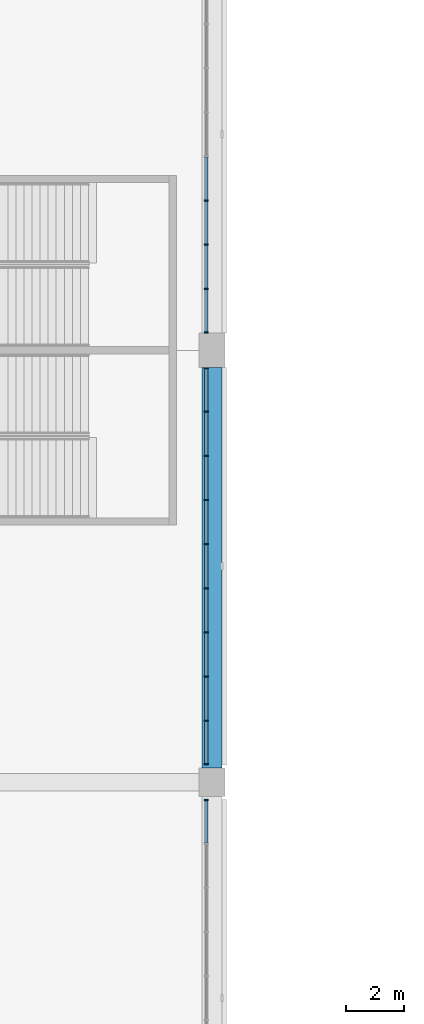
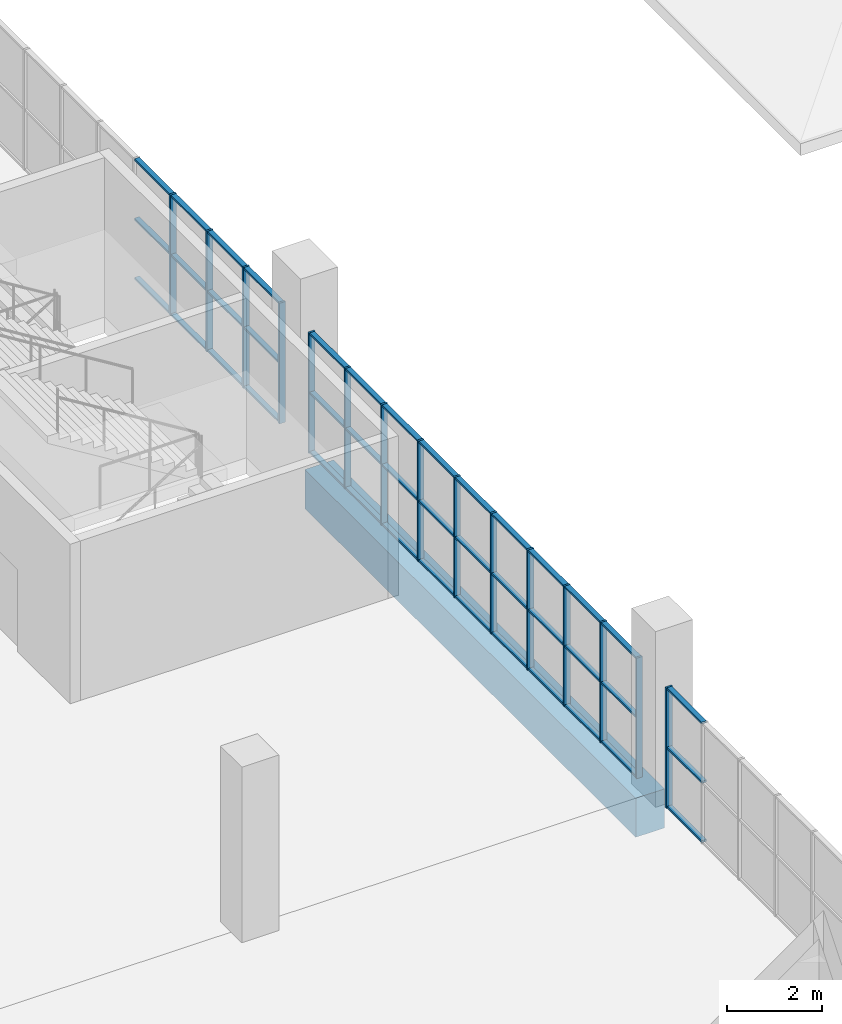
# One storey, part 29 of 199: 57 members, 1 beam, 3 elements without a shape of their own.
"""IFC4 building model written with IfcOpenShell, lengths in metres."""

import ifcopenshell
import ifcopenshell.guid

model = None  # the IFC model being written
_history = None  # IfcOwnerHistory: only IFC2X3 demands one
_inside = {}  # id of a spatial element -> (the spatial element, [elements in it])
_under = {}  # id of a project, library or spatial element -> (it, [spatial elements below it])
_declared = {}  # id of a project -> (the project, [libraries it declares])
_typed = {}  # id of a type object -> (the type object, [elements of that type])
_made_of = {}  # id of a material, layer set ... -> (it, [elements and type objects made of it])


def new_model(schema):
    """Start an empty IFC model of exactly this schema.

    Asked for "IFC4X3", IfcOpenShell would pick the latest addendum, in which some entities
    have other attributes; the version numbers below select the first issue.
    IFC2X3 requires an IfcOwnerHistory on every rooted entity: one is made here for all.
    """
    global model, _history
    if schema == "IFC4X3":
        model = ifcopenshell.file(schema_version=(4, 3, 0, 0))
    else:
        model = ifcopenshell.file(schema=schema)
    _inside.clear()
    _under.clear()
    _declared.clear()
    _typed.clear()
    _made_of.clear()
    _history = None
    if model.schema == "IFC2X3":
        org = make("IfcOrganization", Name="unknown")
        user = make(
            "IfcPersonAndOrganization",
            ThePerson=make("IfcPerson", FamilyName="unknown"),
            TheOrganization=org,
        )
        app = make(
            "IfcApplication",
            ApplicationDeveloper=org,
            Version="unknown",
            ApplicationFullName="unknown",
            ApplicationIdentifier="unknown",
        )
        _history = make(
            "IfcOwnerHistory",
            OwningUser=user,
            OwningApplication=app,
            ChangeAction="ADDED",
            CreationDate=0,
        )
    return model


def make(cls, **values):
    """One entity of the class cls with the attributes given. An attribute that is None is left unset."""
    return model.create_entity(
        cls, **{name: value for name, value in values.items() if value is not None}
    )


def rooted(cls, **values):
    """An entity with a GlobalId (a new one), such as an element, a storey or a relation."""
    return make(cls, GlobalId=ifcopenshell.guid.new(), OwnerHistory=_history, **values)


def si_unit(unit_type, name, prefix=None):
    """IfcSIUnit, for example si_unit("LENGTHUNIT", "METRE", prefix="MILLI")."""
    return make("IfcSIUnit", UnitType=unit_type, Prefix=prefix, Name=name)


def assignment(units):
    """IfcUnitAssignment: the units of a project."""
    return None if units is None else make("IfcUnitAssignment", Units=units)


def point(xyz):
    """IfcCartesianPoint."""
    return None if xyz is None else make("IfcCartesianPoint", Coordinates=xyz)


def direction(xyz):
    """IfcDirection."""
    return None if xyz is None else make("IfcDirection", DirectionRatios=xyz)


def frame(location, z_axis=None, x_axis=None):
    """IfcAxis2Placement3D, a coordinate frame: its origin and axes. An axis left out is left unset."""
    return make(
        "IfcAxis2Placement3D",
        Location=point(location),
        Axis=direction(z_axis),
        RefDirection=direction(x_axis),
    )


def frame_2d(location, x_axis=None):
    """IfcAxis2Placement2D, a coordinate frame in the plane: its origin and x axis."""
    return make(
        "IfcAxis2Placement2D", Location=point(location), RefDirection=direction(x_axis)
    )


def origin():
    """The frame at (0, 0, 0) with its axes left unset."""
    return frame((0.0, 0.0, 0.0))


def origin_2d():
    """The frame at (0, 0) in the plane with its x axis left unset."""
    return frame_2d((0.0, 0.0))


def place(relative_to, where):
    """IfcLocalPlacement: puts the frame where relative to a parent placement (None: the world)."""
    return make(
        "IfcLocalPlacement", PlacementRelTo=relative_to, RelativePlacement=where
    )


def context(
    kind, dimensions, precision=None, world=None, true_north=None, identifier=None
):
    """IfcGeometricRepresentationContext, for example the 3D "Model" context."""
    return make(
        "IfcGeometricRepresentationContext",
        ContextIdentifier=identifier,
        ContextType=kind,
        CoordinateSpaceDimension=dimensions,
        Precision=precision,
        WorldCoordinateSystem=world,
        TrueNorth=true_north,
    )


def subcontext(parent, identifier, kind, view, scale=None):
    """IfcGeometricRepresentationSubContext, for example "Body" below "Model"."""
    return make(
        "IfcGeometricRepresentationSubContext",
        ContextIdentifier=identifier,
        ContextType=kind,
        ParentContext=parent,
        TargetScale=scale,
        TargetView=view,
    )


def project(units=None, contexts=None):
    """IfcProject with its units and contexts."""
    return rooted(
        "IfcProject",
        Name="project",
        RepresentationContexts=contexts,
        UnitsInContext=assignment(units),
    )


def spatial(cls, under=None, at=None, **own):
    """A site, building, storey or space (cls), placed at a placement, below another one or the project."""
    s = rooted(cls, ObjectPlacement=at, **own)
    if under is not None:
        _under.setdefault(under.id(), (under, []))[1].append(s)
    return s


def profile(cls, at=None, kind="AREA", **sizes):
    """A parametric profile (cls). Its sizes go by their IFC names, for example OverallWidth=200.0."""
    return make(cls, ProfileType=kind, Position=at, **sizes)


def rectangle(**sizes):
    """IfcRectangleProfileDef."""
    return profile("IfcRectangleProfileDef", **sizes)


def extrude(swept, where, along, depth):
    """IfcExtrudedAreaSolid: the profile swept, set in the frame where, extruded along a direction by depth."""
    return make(
        "IfcExtrudedAreaSolid",
        SweptArea=swept,
        Position=where,
        ExtrudedDirection=direction(along),
        Depth=depth,
    )


def shape(context_of_items, identifier, shape_type, items):
    """IfcShapeRepresentation: the items that make up one representation, for example the "Body"."""
    return make(
        "IfcShapeRepresentation",
        ContextOfItems=context_of_items,
        RepresentationIdentifier=identifier,
        RepresentationType=shape_type,
        Items=items,
    )


def material(Name=None, Category=None):
    """IfcMaterial."""
    return make("IfcMaterial", Name=Name, Category=Category)


def material_profile(
    of_material, cross_section, Name=None, Category=None, Priority=None
):
    """IfcMaterialProfile: a cross section and its material."""
    return make(
        "IfcMaterialProfile",
        Name=Name,
        Material=of_material,
        Profile=cross_section,
        Priority=Priority,
        Category=Category,
    )


def profile_set(profiles, Name=None, composite=None):
    """IfcMaterialProfileSet."""
    return make(
        "IfcMaterialProfileSet",
        Name=Name,
        MaterialProfiles=profiles,
        CompositeProfile=composite,
    )


def made_of(thing, what):
    """Note that an element or type object is made of a material, layer set ...; save() writes the relation."""
    if what is not None:
        _made_of.setdefault(what.id(), (what, []))[1].append(thing)
    return thing


def type_object(cls, material=None, **own):
    """A type object (cls), such as IfcWallType, which elements share."""
    return made_of(rooted(cls, **own), material)


def element(
    cls,
    number,
    at=None,
    inside=None,
    cuts=None,
    type_object=None,
    material=None,
    context=None,
    identifier="Body",
    shape_type=None,
    held_by="IfcProductDefinitionShape",
    body=None,
    shapes=None,
    **own,
):
    """One element of the class cls, such as IfcWall. Its Tag is "e" and its number.

    at: its placement. inside: the storey or other place that contains it. cuts: it is an
    opening in that element (IfcRelVoidsElement). A single representation is given by context,
    identifier, shape_type and body (its items); several are given by shapes. held_by: the class
    of the entity that holds the representations. save() writes the other relations.
    """
    e = rooted(cls, Tag="e%d" % number, ObjectPlacement=at, **own)
    if body is not None:
        shapes = [shape(context, identifier, shape_type, body)]
    if shapes is not None:
        e.Representation = make(held_by, Representations=shapes)
    if inside is not None:
        _inside.setdefault(inside.id(), (inside, []))[1].append(e)
    if cuts is not None:
        rooted(
            "IfcRelVoidsElement", RelatingBuildingElement=cuts, RelatedOpeningElement=e
        )
    if type_object is not None:
        _typed.setdefault(type_object.id(), (type_object, []))[1].append(e)
    return made_of(e, material)


def aggregate(whole, parts):
    """IfcRelAggregates: a whole, such as a stair, and the parts it consists of."""
    return rooted("IfcRelAggregates", RelatingObject=whole, RelatedObjects=parts)


def save(model, path):
    """Write the relations noted so far, then the file.

    IfcRelAggregates (storeys below a building ...), IfcRelContainedInSpatialStructure (elements
    in a storey), IfcRelDefinesByType, IfcRelAssociatesMaterial and IfcRelDeclares: one each for
    every whole, place, type object, material and project.
    """
    for whole, parts in _under.values():
        aggregate(whole, parts)
    for where, things in _inside.values():
        rooted(
            "IfcRelContainedInSpatialStructure",
            RelatedElements=things,
            RelatingStructure=where,
        )
    for kind, things in _typed.values():
        rooted("IfcRelDefinesByType", RelatedObjects=things, RelatingType=kind)
    for what, things in _made_of.values():
        rooted("IfcRelAssociatesMaterial", RelatedObjects=things, RelatingMaterial=what)
    for by, libraries in _declared.values():
        rooted("IfcRelDeclares", RelatingContext=by, RelatedDefinitions=libraries)
    model.write(path)


model = new_model("IFC4")

# Units and contexts
model_context = context("Model", 3, precision=1e-05, world=origin(), true_north=direction((0.0, 1.0)))
body_context = subcontext(model_context, "Body", "Model", "MODEL_VIEW")
ifc_project = project(units=[si_unit("LENGTHUNIT", "METRE"), si_unit("AREAUNIT", "SQUARE_METRE"), si_unit("VOLUMEUNIT", "CUBIC_METRE"), si_unit("PLANEANGLEUNIT", "RADIAN"), si_unit("MASSUNIT", "GRAM", prefix="KILO")], contexts=[model_context])

# Site, building, storey
site_placement = place(None, origin())
site = spatial("IfcSite", under=ifc_project, at=site_placement, CompositionType="ELEMENT")
building_placement = place(site_placement, origin())
building = spatial("IfcBuilding", under=site, at=building_placement, Name="Ogive Plaza Stadium", CompositionType="ELEMENT")
storey_placement = place(building_placement, frame((0.0, 0.0, 4.5)))
storey = spatial("IfcBuildingStorey", under=building, at=storey_placement, Name="L01", CompositionType="ELEMENT", Elevation=4.5)

# Curtain wall, members
ifc_material_1 = material(Name="Bronze-anodised aluminium with laminated glass", Category="aluminium")
curtain_wall_type = type_object("IfcCurtainWallType", Name="Lancet curtain wall", PredefinedType="NOTDEFINED", material=ifc_material_1)
curtain_wall_1_placement = place(storey_placement, origin())
curtain_wall_1 = element("IfcCurtainWall", 1, at=curtain_wall_1_placement, inside=storey, type_object=curtain_wall_type, Name="CURTAIN WALL B05 L01", PredefinedType="NOTDEFINED")
ifc_material_2 = material(Name="Bronze-anodised aluminium", Category="aluminium")
ifc_material_profile_1 = material_profile(ifc_material_2, rectangle(XDim=0.14990234375, YDim=0.050048828125, at=origin_2d()), Name="AL 150x50")
ifc_profile_set_1 = profile_set([ifc_material_profile_1], Name="Bronze-anodised aluminium")
member_type_1 = type_object("IfcMemberType", Name="Curtain wall mullion 50x150", PredefinedType="MULLION", material=ifc_profile_set_1)
member_1_placement = place(storey_placement, frame((83.800048828125, -17.300048828125, 0.0), z_axis=(0.0, 0.0, 1.0), x_axis=(1.0, 0.0, 0.0)))
member_1 = element("IfcMember", 2, at=member_1_placement, type_object=member_type_1, Name="CW-B05-L01 mullion 7", PredefinedType="MULLION", context=body_context, shape_type="SweptSolid", body=[
    extrude(rectangle(XDim=0.14990234375, YDim=0.050048828125, at=origin_2d()), origin(), (0.0, 0.0, 1.0), 3.090087890625),
])
member_2_placement = place(storey_placement, frame((83.800048828125, -18.833251953125, 0.0), z_axis=(0.0, 0.0, 1.0), x_axis=(1.0, 0.0, 0.0)))
member_2 = element("IfcMember", 3, at=member_2_placement, type_object=member_type_1, Name="CW-B05-L01 mullion 8", PredefinedType="MULLION", context=body_context, shape_type="SweptSolid", body=[
    extrude(rectangle(XDim=0.14990234375, YDim=0.050048828125, at=origin_2d()), origin(), (0.0, 0.0, 1.0), 3.090087890625),
])
member_3_placement = place(storey_placement, frame((83.800048828125, -20.36669921875, 0.0), z_axis=(0.0, 0.0, 1.0), x_axis=(1.0, 0.0, 0.0)))
member_3 = element("IfcMember", 4, at=member_3_placement, type_object=member_type_1, Name="CW-B05-L01 mullion 9", PredefinedType="MULLION", context=body_context, shape_type="SweptSolid", body=[
    extrude(rectangle(XDim=0.14990234375, YDim=0.050048828125, at=origin_2d()), origin(), (0.0, 0.0, 1.0), 3.090087890625),
])
member_4_placement = place(storey_placement, frame((83.800048828125, -21.875, 0.0), z_axis=(0.0, 0.0, 1.0), x_axis=(1.0, 0.0, 0.0)))
member_4 = element("IfcMember", 5, at=member_4_placement, type_object=member_type_1, Name="CW-B05-L01 mullion 10", PredefinedType="MULLION", context=body_context, shape_type="SweptSolid", body=[
    extrude(rectangle(XDim=0.14990234375, YDim=0.050048828125, at=origin_2d()), origin(), (0.0, 0.0, 1.0), 3.090087890625),
])

curtain_wall_2_placement = place(storey_placement, origin())
curtain_wall_2 = element("IfcCurtainWall", 6, at=curtain_wall_2_placement, inside=storey, type_object=curtain_wall_type, Name="CURTAIN WALL B06 L01", PredefinedType="NOTDEFINED")
member_5_placement = place(storey_placement, frame((83.800048828125, -23.125, 0.0), z_axis=(0.0, 0.0, 1.0), x_axis=(1.0, 0.0, 0.0)))
member_5 = element("IfcMember", 7, at=member_5_placement, type_object=member_type_1, Name="CW-B06-L01 mullion 1", PredefinedType="MULLION", context=body_context, shape_type="SweptSolid", body=[
    extrude(rectangle(XDim=0.14990234375, YDim=0.050048828125, at=origin_2d()), origin(), (0.0, 0.0, 1.0), 3.090087890625),
])
member_6_placement = place(storey_placement, frame((83.800048828125, -24.63330078125, 0.0), z_axis=(0.0, 0.0, 1.0), x_axis=(1.0, 0.0, 0.0)))
member_6 = element("IfcMember", 8, at=member_6_placement, type_object=member_type_1, Name="CW-B06-L01 mullion 2", PredefinedType="MULLION", context=body_context, shape_type="SweptSolid", body=[
    extrude(rectangle(XDim=0.14990234375, YDim=0.050048828125, at=origin_2d()), origin(), (0.0, 0.0, 1.0), 3.090087890625),
])
member_7_placement = place(storey_placement, frame((83.800048828125, -26.166748046875, 0.0), z_axis=(0.0, 0.0, 1.0), x_axis=(1.0, 0.0, 0.0)))
member_7 = element("IfcMember", 9, at=member_7_placement, type_object=member_type_1, Name="CW-B06-L01 mullion 3", PredefinedType="MULLION", context=body_context, shape_type="SweptSolid", body=[
    extrude(rectangle(XDim=0.14990234375, YDim=0.050048828125, at=origin_2d()), origin(), (0.0, 0.0, 1.0), 3.090087890625),
])
member_8_placement = place(storey_placement, frame((83.800048828125, -27.699951171875, 0.0), z_axis=(0.0, 0.0, 1.0), x_axis=(1.0, 0.0, 0.0)))
member_8 = element("IfcMember", 10, at=member_8_placement, type_object=member_type_1, Name="CW-B06-L01 mullion 4", PredefinedType="MULLION", context=body_context, shape_type="SweptSolid", body=[
    extrude(rectangle(XDim=0.14990234375, YDim=0.050048828125, at=origin_2d()), origin(), (0.0, 0.0, 1.0), 3.090087890625),
])
member_9_placement = place(storey_placement, frame((83.800048828125, -29.2333984375, 0.0), z_axis=(0.0, 0.0, 1.0), x_axis=(1.0, 0.0, 0.0)))
member_9 = element("IfcMember", 11, at=member_9_placement, type_object=member_type_1, Name="CW-B06-L01 mullion 5", PredefinedType="MULLION", context=body_context, shape_type="SweptSolid", body=[
    extrude(rectangle(XDim=0.14990234375, YDim=0.050048828125, at=origin_2d()), origin(), (0.0, 0.0, 1.0), 3.090087890625),
])
member_10_placement = place(storey_placement, frame((83.800048828125, -30.7666015625, 0.0), z_axis=(0.0, 0.0, 1.0), x_axis=(1.0, 0.0, 0.0)))
member_10 = element("IfcMember", 12, at=member_10_placement, type_object=member_type_1, Name="CW-B06-L01 mullion 6", PredefinedType="MULLION", context=body_context, shape_type="SweptSolid", body=[
    extrude(rectangle(XDim=0.14990234375, YDim=0.050048828125, at=origin_2d()), origin(), (0.0, 0.0, 1.0), 3.090087890625),
])
member_11_placement = place(storey_placement, frame((83.800048828125, -32.300048828125, 0.0), z_axis=(0.0, 0.0, 1.0), x_axis=(1.0, 0.0, 0.0)))
member_11 = element("IfcMember", 13, at=member_11_placement, type_object=member_type_1, Name="CW-B06-L01 mullion 7", PredefinedType="MULLION", context=body_context, shape_type="SweptSolid", body=[
    extrude(rectangle(XDim=0.14990234375, YDim=0.050048828125, at=origin_2d()), origin(), (0.0, 0.0, 1.0), 3.090087890625),
])
member_12_placement = place(storey_placement, frame((83.800048828125, -33.833251953125, 0.0), z_axis=(0.0, 0.0, 1.0), x_axis=(1.0, 0.0, 0.0)))
member_12 = element("IfcMember", 14, at=member_12_placement, type_object=member_type_1, Name="CW-B06-L01 mullion 8", PredefinedType="MULLION", context=body_context, shape_type="SweptSolid", body=[
    extrude(rectangle(XDim=0.14990234375, YDim=0.050048828125, at=origin_2d()), origin(), (0.0, 0.0, 1.0), 3.090087890625),
])
member_13_placement = place(storey_placement, frame((83.800048828125, -35.36669921875, 0.0), z_axis=(0.0, 0.0, 1.0), x_axis=(1.0, 0.0, 0.0)))
member_13 = element("IfcMember", 15, at=member_13_placement, type_object=member_type_1, Name="CW-B06-L01 mullion 9", PredefinedType="MULLION", context=body_context, shape_type="SweptSolid", body=[
    extrude(rectangle(XDim=0.14990234375, YDim=0.050048828125, at=origin_2d()), origin(), (0.0, 0.0, 1.0), 3.090087890625),
])
member_14_placement = place(storey_placement, frame((83.800048828125, -36.875, 0.0), z_axis=(0.0, 0.0, 1.0), x_axis=(1.0, 0.0, 0.0)))
member_14 = element("IfcMember", 16, at=member_14_placement, type_object=member_type_1, Name="CW-B06-L01 mullion 10", PredefinedType="MULLION", context=body_context, shape_type="SweptSolid", body=[
    extrude(rectangle(XDim=0.14990234375, YDim=0.050048828125, at=origin_2d()), origin(), (0.0, 0.0, 1.0), 3.090087890625),
])

# Curtain wall, member
curtain_wall_3_placement = place(storey_placement, origin())
curtain_wall_3 = element("IfcCurtainWall", 17, at=curtain_wall_3_placement, inside=storey, type_object=curtain_wall_type, Name="CURTAIN WALL B07 L01", PredefinedType="NOTDEFINED")
member_15_placement = place(storey_placement, frame((83.800048828125, -38.125, 0.0), z_axis=(0.0, 0.0, 1.0), x_axis=(1.0, 0.0, 0.0)))
member_15 = element("IfcMember", 18, at=member_15_placement, type_object=member_type_1, Name="CW-B07-L01 mullion 1", PredefinedType="MULLION", context=body_context, shape_type="SweptSolid", body=[
    extrude(rectangle(XDim=0.14990234375, YDim=0.050048828125, at=origin_2d()), origin(), (0.0, 0.0, 1.0), 3.090087890625),
])

# Member
ifc_material_3 = material(Name="Bronze-anodised aluminium", Category="aluminium")
ifc_material_profile_2 = material_profile(ifc_material_3, rectangle(XDim=0.1201171875, YDim=0.050048828125, at=origin_2d()), Name="AL 120x50")
ifc_profile_set_2 = profile_set([ifc_material_profile_2], Name="Bronze-anodised aluminium")
member_type_2 = type_object("IfcMemberType", Name="Curtain wall transom 50x120", PredefinedType="USERDEFINED", material=ifc_profile_set_2)
member_16_placement = place(storey_placement, frame((83.800048828125, -15.791748046875, 0.02490234375), z_axis=(0.0, -1.0, 0.0), x_axis=(1.0, 0.0, 0.0)))
member_16 = element("IfcMember", 19, at=member_16_placement, type_object=member_type_2, Name="CW-B05-L01 transom 6.1", ObjectType="TRANSOM", PredefinedType="USERDEFINED", context=body_context, shape_type="SweptSolid", body=[
    extrude(rectangle(XDim=0.1201171875, YDim=0.050048828125, at=origin_2d()), origin(), (0.0, 0.0, 1.0), 1.483154296875),
])

member_17_placement = place(storey_placement, frame((83.800048828125, -15.791748046875, 1.544921875), z_axis=(0.0, -1.0, 0.0), x_axis=(1.0, 0.0, 0.0)))
member_17 = element("IfcMember", 20, at=member_17_placement, type_object=member_type_2, Name="CW-B05-L01 transom 6.2", ObjectType="TRANSOM", PredefinedType="USERDEFINED", context=body_context, shape_type="SweptSolid", body=[
    extrude(rectangle(XDim=0.1201171875, YDim=0.050048828125, at=origin_2d()), origin(), (0.0, 0.0, 1.0), 1.483154296875),
])

member_18_placement = place(storey_placement, frame((83.800048828125, -15.791748046875, 3.06494140625), z_axis=(0.0, -1.0, 0.0), x_axis=(1.0, 0.0, 0.0)))
member_18 = element("IfcMember", 21, at=member_18_placement, type_object=member_type_2, Name="CW-B05-L01 transom 6.3", ObjectType="TRANSOM", PredefinedType="USERDEFINED", context=body_context, shape_type="SweptSolid", body=[
    extrude(rectangle(XDim=0.1201171875, YDim=0.050048828125, at=origin_2d()), origin(), (0.0, 0.0, 1.0), 1.483154296875),
])

member_19_placement = place(storey_placement, frame((83.800048828125, -17.324951171875, 0.02490234375), z_axis=(0.0, -1.0, 0.0), x_axis=(1.0, 0.0, 0.0)))
member_19 = element("IfcMember", 22, at=member_19_placement, type_object=member_type_2, Name="CW-B05-L01 transom 7.1", ObjectType="TRANSOM", PredefinedType="USERDEFINED", context=body_context, shape_type="SweptSolid", body=[
    extrude(rectangle(XDim=0.1201171875, YDim=0.050048828125, at=origin_2d()), origin(), (0.0, 0.0, 1.0), 1.4833984375),
])

member_20_placement = place(storey_placement, frame((83.800048828125, -17.324951171875, 1.544921875), z_axis=(0.0, -1.0, 0.0), x_axis=(1.0, 0.0, 0.0)))
member_20 = element("IfcMember", 23, at=member_20_placement, type_object=member_type_2, Name="CW-B05-L01 transom 7.2", ObjectType="TRANSOM", PredefinedType="USERDEFINED", context=body_context, shape_type="SweptSolid", body=[
    extrude(rectangle(XDim=0.1201171875, YDim=0.050048828125, at=origin_2d()), origin(), (0.0, 0.0, 1.0), 1.4833984375),
])

member_21_placement = place(storey_placement, frame((83.800048828125, -17.324951171875, 3.06494140625), z_axis=(0.0, -1.0, 0.0), x_axis=(1.0, 0.0, 0.0)))
member_21 = element("IfcMember", 24, at=member_21_placement, type_object=member_type_2, Name="CW-B05-L01 transom 7.3", ObjectType="TRANSOM", PredefinedType="USERDEFINED", context=body_context, shape_type="SweptSolid", body=[
    extrude(rectangle(XDim=0.1201171875, YDim=0.050048828125, at=origin_2d()), origin(), (0.0, 0.0, 1.0), 1.4833984375),
])

member_22_placement = place(storey_placement, frame((83.800048828125, -18.8583984375, 0.02490234375), z_axis=(0.0, -1.0, 0.0), x_axis=(1.0, 0.0, 0.0)))
member_22 = element("IfcMember", 25, at=member_22_placement, type_object=member_type_2, Name="CW-B05-L01 transom 8.1", ObjectType="TRANSOM", PredefinedType="USERDEFINED", context=body_context, shape_type="SweptSolid", body=[
    extrude(rectangle(XDim=0.1201171875, YDim=0.050048828125, at=origin_2d()), origin(), (0.0, 0.0, 1.0), 1.483154296875),
])

member_23_placement = place(storey_placement, frame((83.800048828125, -18.8583984375, 1.544921875), z_axis=(0.0, -1.0, 0.0), x_axis=(1.0, 0.0, 0.0)))
member_23 = element("IfcMember", 26, at=member_23_placement, type_object=member_type_2, Name="CW-B05-L01 transom 8.2", ObjectType="TRANSOM", PredefinedType="USERDEFINED", context=body_context, shape_type="SweptSolid", body=[
    extrude(rectangle(XDim=0.1201171875, YDim=0.050048828125, at=origin_2d()), origin(), (0.0, 0.0, 1.0), 1.483154296875),
])

member_24_placement = place(storey_placement, frame((83.800048828125, -18.8583984375, 3.06494140625), z_axis=(0.0, -1.0, 0.0), x_axis=(1.0, 0.0, 0.0)))
member_24 = element("IfcMember", 27, at=member_24_placement, type_object=member_type_2, Name="CW-B05-L01 transom 8.3", ObjectType="TRANSOM", PredefinedType="USERDEFINED", context=body_context, shape_type="SweptSolid", body=[
    extrude(rectangle(XDim=0.1201171875, YDim=0.050048828125, at=origin_2d()), origin(), (0.0, 0.0, 1.0), 1.483154296875),
])

member_25_placement = place(storey_placement, frame((83.800048828125, -20.3916015625, 0.02490234375), z_axis=(0.0, -1.0, 0.0), x_axis=(1.0, 0.0, 0.0)))
member_25 = element("IfcMember", 28, at=member_25_placement, type_object=member_type_2, Name="CW-B05-L01 transom 9.1", ObjectType="TRANSOM", PredefinedType="USERDEFINED", context=body_context, shape_type="SweptSolid", body=[
    extrude(rectangle(XDim=0.1201171875, YDim=0.050048828125, at=origin_2d()), origin(), (0.0, 0.0, 1.0), 1.45849609375),
])

member_26_placement = place(storey_placement, frame((83.800048828125, -20.3916015625, 1.544921875), z_axis=(0.0, -1.0, 0.0), x_axis=(1.0, 0.0, 0.0)))
member_26 = element("IfcMember", 29, at=member_26_placement, type_object=member_type_2, Name="CW-B05-L01 transom 9.2", ObjectType="TRANSOM", PredefinedType="USERDEFINED", context=body_context, shape_type="SweptSolid", body=[
    extrude(rectangle(XDim=0.1201171875, YDim=0.050048828125, at=origin_2d()), origin(), (0.0, 0.0, 1.0), 1.45849609375),
])

member_27_placement = place(storey_placement, frame((83.800048828125, -20.3916015625, 3.06494140625), z_axis=(0.0, -1.0, 0.0), x_axis=(1.0, 0.0, 0.0)))
member_27 = element("IfcMember", 30, at=member_27_placement, type_object=member_type_2, Name="CW-B05-L01 transom 9.3", ObjectType="TRANSOM", PredefinedType="USERDEFINED", context=body_context, shape_type="SweptSolid", body=[
    extrude(rectangle(XDim=0.1201171875, YDim=0.050048828125, at=origin_2d()), origin(), (0.0, 0.0, 1.0), 1.45849609375),
])

aggregate(curtain_wall_1, [member_1, member_2, member_3, member_4, member_16, member_17, member_18, member_19, member_20, member_21, member_22, member_23, member_24, member_25, member_26, member_27])

member_28_placement = place(storey_placement, frame((83.800048828125, -23.14990234375, 0.02490234375), z_axis=(0.0, -1.0, 0.0), x_axis=(1.0, 0.0, 0.0)))
member_28 = element("IfcMember", 31, at=member_28_placement, type_object=member_type_2, Name="CW-B06-L01 transom 1.1", ObjectType="TRANSOM", PredefinedType="USERDEFINED", context=body_context, shape_type="SweptSolid", body=[
    extrude(rectangle(XDim=0.1201171875, YDim=0.050048828125, at=origin_2d()), origin(), (0.0, 0.0, 1.0), 1.45849609375),
])

member_29_placement = place(storey_placement, frame((83.800048828125, -23.14990234375, 1.544921875), z_axis=(0.0, -1.0, 0.0), x_axis=(1.0, 0.0, 0.0)))
member_29 = element("IfcMember", 32, at=member_29_placement, type_object=member_type_2, Name="CW-B06-L01 transom 1.2", ObjectType="TRANSOM", PredefinedType="USERDEFINED", context=body_context, shape_type="SweptSolid", body=[
    extrude(rectangle(XDim=0.1201171875, YDim=0.050048828125, at=origin_2d()), origin(), (0.0, 0.0, 1.0), 1.45849609375),
])

member_30_placement = place(storey_placement, frame((83.800048828125, -23.14990234375, 3.06494140625), z_axis=(0.0, -1.0, 0.0), x_axis=(1.0, 0.0, 0.0)))
member_30 = element("IfcMember", 33, at=member_30_placement, type_object=member_type_2, Name="CW-B06-L01 transom 1.3", ObjectType="TRANSOM", PredefinedType="USERDEFINED", context=body_context, shape_type="SweptSolid", body=[
    extrude(rectangle(XDim=0.1201171875, YDim=0.050048828125, at=origin_2d()), origin(), (0.0, 0.0, 1.0), 1.45849609375),
])

member_31_placement = place(storey_placement, frame((83.800048828125, -24.658447265625, 0.02490234375), z_axis=(0.0, -1.0, 0.0), x_axis=(1.0, 0.0, 0.0)))
member_31 = element("IfcMember", 34, at=member_31_placement, type_object=member_type_2, Name="CW-B06-L01 transom 2.1", ObjectType="TRANSOM", PredefinedType="USERDEFINED", context=body_context, shape_type="SweptSolid", body=[
    extrude(rectangle(XDim=0.1201171875, YDim=0.050048828125, at=origin_2d()), origin(), (0.0, 0.0, 1.0), 1.483154296875),
])

member_32_placement = place(storey_placement, frame((83.800048828125, -24.658447265625, 1.544921875), z_axis=(0.0, -1.0, 0.0), x_axis=(1.0, 0.0, 0.0)))
member_32 = element("IfcMember", 35, at=member_32_placement, type_object=member_type_2, Name="CW-B06-L01 transom 2.2", ObjectType="TRANSOM", PredefinedType="USERDEFINED", context=body_context, shape_type="SweptSolid", body=[
    extrude(rectangle(XDim=0.1201171875, YDim=0.050048828125, at=origin_2d()), origin(), (0.0, 0.0, 1.0), 1.483154296875),
])

member_33_placement = place(storey_placement, frame((83.800048828125, -24.658447265625, 3.06494140625), z_axis=(0.0, -1.0, 0.0), x_axis=(1.0, 0.0, 0.0)))
member_33 = element("IfcMember", 36, at=member_33_placement, type_object=member_type_2, Name="CW-B06-L01 transom 2.3", ObjectType="TRANSOM", PredefinedType="USERDEFINED", context=body_context, shape_type="SweptSolid", body=[
    extrude(rectangle(XDim=0.1201171875, YDim=0.050048828125, at=origin_2d()), origin(), (0.0, 0.0, 1.0), 1.483154296875),
])

member_34_placement = place(storey_placement, frame((83.800048828125, -26.191650390625, 0.02490234375), z_axis=(0.0, -1.0, 0.0), x_axis=(1.0, 0.0, 0.0)))
member_34 = element("IfcMember", 37, at=member_34_placement, type_object=member_type_2, Name="CW-B06-L01 transom 3.1", ObjectType="TRANSOM", PredefinedType="USERDEFINED", context=body_context, shape_type="SweptSolid", body=[
    extrude(rectangle(XDim=0.1201171875, YDim=0.050048828125, at=origin_2d()), origin(), (0.0, 0.0, 1.0), 1.4833984375),
])

member_35_placement = place(storey_placement, frame((83.800048828125, -26.191650390625, 1.544921875), z_axis=(0.0, -1.0, 0.0), x_axis=(1.0, 0.0, 0.0)))
member_35 = element("IfcMember", 38, at=member_35_placement, type_object=member_type_2, Name="CW-B06-L01 transom 3.2", ObjectType="TRANSOM", PredefinedType="USERDEFINED", context=body_context, shape_type="SweptSolid", body=[
    extrude(rectangle(XDim=0.1201171875, YDim=0.050048828125, at=origin_2d()), origin(), (0.0, 0.0, 1.0), 1.4833984375),
])

member_36_placement = place(storey_placement, frame((83.800048828125, -26.191650390625, 3.06494140625), z_axis=(0.0, -1.0, 0.0), x_axis=(1.0, 0.0, 0.0)))
member_36 = element("IfcMember", 39, at=member_36_placement, type_object=member_type_2, Name="CW-B06-L01 transom 3.3", ObjectType="TRANSOM", PredefinedType="USERDEFINED", context=body_context, shape_type="SweptSolid", body=[
    extrude(rectangle(XDim=0.1201171875, YDim=0.050048828125, at=origin_2d()), origin(), (0.0, 0.0, 1.0), 1.4833984375),
])

member_37_placement = place(storey_placement, frame((83.800048828125, -27.72509765625, 0.02490234375), z_axis=(0.0, -1.0, 0.0), x_axis=(1.0, 0.0, 0.0)))
member_37 = element("IfcMember", 40, at=member_37_placement, type_object=member_type_2, Name="CW-B06-L01 transom 4.1", ObjectType="TRANSOM", PredefinedType="USERDEFINED", context=body_context, shape_type="SweptSolid", body=[
    extrude(rectangle(XDim=0.1201171875, YDim=0.050048828125, at=origin_2d()), origin(), (0.0, 0.0, 1.0), 1.483154296875),
])

member_38_placement = place(storey_placement, frame((83.800048828125, -27.72509765625, 1.544921875), z_axis=(0.0, -1.0, 0.0), x_axis=(1.0, 0.0, 0.0)))
member_38 = element("IfcMember", 41, at=member_38_placement, type_object=member_type_2, Name="CW-B06-L01 transom 4.2", ObjectType="TRANSOM", PredefinedType="USERDEFINED", context=body_context, shape_type="SweptSolid", body=[
    extrude(rectangle(XDim=0.1201171875, YDim=0.050048828125, at=origin_2d()), origin(), (0.0, 0.0, 1.0), 1.483154296875),
])

member_39_placement = place(storey_placement, frame((83.800048828125, -27.72509765625, 3.06494140625), z_axis=(0.0, -1.0, 0.0), x_axis=(1.0, 0.0, 0.0)))
member_39 = element("IfcMember", 42, at=member_39_placement, type_object=member_type_2, Name="CW-B06-L01 transom 4.3", ObjectType="TRANSOM", PredefinedType="USERDEFINED", context=body_context, shape_type="SweptSolid", body=[
    extrude(rectangle(XDim=0.1201171875, YDim=0.050048828125, at=origin_2d()), origin(), (0.0, 0.0, 1.0), 1.483154296875),
])

member_40_placement = place(storey_placement, frame((83.800048828125, -29.25830078125, 0.02490234375), z_axis=(0.0, -1.0, 0.0), x_axis=(1.0, 0.0, 0.0)))
member_40 = element("IfcMember", 43, at=member_40_placement, type_object=member_type_2, Name="CW-B06-L01 transom 5.1", ObjectType="TRANSOM", PredefinedType="USERDEFINED", context=body_context, shape_type="SweptSolid", body=[
    extrude(rectangle(XDim=0.1201171875, YDim=0.050048828125, at=origin_2d()), origin(), (0.0, 0.0, 1.0), 1.4833984375),
])

member_41_placement = place(storey_placement, frame((83.800048828125, -29.25830078125, 1.544921875), z_axis=(0.0, -1.0, 0.0), x_axis=(1.0, 0.0, 0.0)))
member_41 = element("IfcMember", 44, at=member_41_placement, type_object=member_type_2, Name="CW-B06-L01 transom 5.2", ObjectType="TRANSOM", PredefinedType="USERDEFINED", context=body_context, shape_type="SweptSolid", body=[
    extrude(rectangle(XDim=0.1201171875, YDim=0.050048828125, at=origin_2d()), origin(), (0.0, 0.0, 1.0), 1.4833984375),
])

member_42_placement = place(storey_placement, frame((83.800048828125, -29.25830078125, 3.06494140625), z_axis=(0.0, -1.0, 0.0), x_axis=(1.0, 0.0, 0.0)))
member_42 = element("IfcMember", 45, at=member_42_placement, type_object=member_type_2, Name="CW-B06-L01 transom 5.3", ObjectType="TRANSOM", PredefinedType="USERDEFINED", context=body_context, shape_type="SweptSolid", body=[
    extrude(rectangle(XDim=0.1201171875, YDim=0.050048828125, at=origin_2d()), origin(), (0.0, 0.0, 1.0), 1.4833984375),
])

member_43_placement = place(storey_placement, frame((83.800048828125, -30.791748046875, 0.02490234375), z_axis=(0.0, -1.0, 0.0), x_axis=(1.0, 0.0, 0.0)))
member_43 = element("IfcMember", 46, at=member_43_placement, type_object=member_type_2, Name="CW-B06-L01 transom 6.1", ObjectType="TRANSOM", PredefinedType="USERDEFINED", context=body_context, shape_type="SweptSolid", body=[
    extrude(rectangle(XDim=0.1201171875, YDim=0.050048828125, at=origin_2d()), origin(), (0.0, 0.0, 1.0), 1.483154296875),
])

member_44_placement = place(storey_placement, frame((83.800048828125, -30.791748046875, 1.544921875), z_axis=(0.0, -1.0, 0.0), x_axis=(1.0, 0.0, 0.0)))
member_44 = element("IfcMember", 47, at=member_44_placement, type_object=member_type_2, Name="CW-B06-L01 transom 6.2", ObjectType="TRANSOM", PredefinedType="USERDEFINED", context=body_context, shape_type="SweptSolid", body=[
    extrude(rectangle(XDim=0.1201171875, YDim=0.050048828125, at=origin_2d()), origin(), (0.0, 0.0, 1.0), 1.483154296875),
])

member_45_placement = place(storey_placement, frame((83.800048828125, -30.791748046875, 3.06494140625), z_axis=(0.0, -1.0, 0.0), x_axis=(1.0, 0.0, 0.0)))
member_45 = element("IfcMember", 48, at=member_45_placement, type_object=member_type_2, Name="CW-B06-L01 transom 6.3", ObjectType="TRANSOM", PredefinedType="USERDEFINED", context=body_context, shape_type="SweptSolid", body=[
    extrude(rectangle(XDim=0.1201171875, YDim=0.050048828125, at=origin_2d()), origin(), (0.0, 0.0, 1.0), 1.483154296875),
])

member_46_placement = place(storey_placement, frame((83.800048828125, -32.324951171875, 0.02490234375), z_axis=(0.0, -1.0, 0.0), x_axis=(1.0, 0.0, 0.0)))
member_46 = element("IfcMember", 49, at=member_46_placement, type_object=member_type_2, Name="CW-B06-L01 transom 7.1", ObjectType="TRANSOM", PredefinedType="USERDEFINED", context=body_context, shape_type="SweptSolid", body=[
    extrude(rectangle(XDim=0.1201171875, YDim=0.050048828125, at=origin_2d()), origin(), (0.0, 0.0, 1.0), 1.4833984375),
])

member_47_placement = place(storey_placement, frame((83.800048828125, -32.324951171875, 1.544921875), z_axis=(0.0, -1.0, 0.0), x_axis=(1.0, 0.0, 0.0)))
member_47 = element("IfcMember", 50, at=member_47_placement, type_object=member_type_2, Name="CW-B06-L01 transom 7.2", ObjectType="TRANSOM", PredefinedType="USERDEFINED", context=body_context, shape_type="SweptSolid", body=[
    extrude(rectangle(XDim=0.1201171875, YDim=0.050048828125, at=origin_2d()), origin(), (0.0, 0.0, 1.0), 1.4833984375),
])

member_48_placement = place(storey_placement, frame((83.800048828125, -32.324951171875, 3.06494140625), z_axis=(0.0, -1.0, 0.0), x_axis=(1.0, 0.0, 0.0)))
member_48 = element("IfcMember", 51, at=member_48_placement, type_object=member_type_2, Name="CW-B06-L01 transom 7.3", ObjectType="TRANSOM", PredefinedType="USERDEFINED", context=body_context, shape_type="SweptSolid", body=[
    extrude(rectangle(XDim=0.1201171875, YDim=0.050048828125, at=origin_2d()), origin(), (0.0, 0.0, 1.0), 1.4833984375),
])

member_49_placement = place(storey_placement, frame((83.800048828125, -33.8583984375, 0.02490234375), z_axis=(0.0, -1.0, 0.0), x_axis=(1.0, 0.0, 0.0)))
member_49 = element("IfcMember", 52, at=member_49_placement, type_object=member_type_2, Name="CW-B06-L01 transom 8.1", ObjectType="TRANSOM", PredefinedType="USERDEFINED", context=body_context, shape_type="SweptSolid", body=[
    extrude(rectangle(XDim=0.1201171875, YDim=0.050048828125, at=origin_2d()), origin(), (0.0, 0.0, 1.0), 1.483154296875),
])

member_50_placement = place(storey_placement, frame((83.800048828125, -33.8583984375, 1.544921875), z_axis=(0.0, -1.0, 0.0), x_axis=(1.0, 0.0, 0.0)))
member_50 = element("IfcMember", 53, at=member_50_placement, type_object=member_type_2, Name="CW-B06-L01 transom 8.2", ObjectType="TRANSOM", PredefinedType="USERDEFINED", context=body_context, shape_type="SweptSolid", body=[
    extrude(rectangle(XDim=0.1201171875, YDim=0.050048828125, at=origin_2d()), origin(), (0.0, 0.0, 1.0), 1.483154296875),
])

member_51_placement = place(storey_placement, frame((83.800048828125, -33.8583984375, 3.06494140625), z_axis=(0.0, -1.0, 0.0), x_axis=(1.0, 0.0, 0.0)))
member_51 = element("IfcMember", 54, at=member_51_placement, type_object=member_type_2, Name="CW-B06-L01 transom 8.3", ObjectType="TRANSOM", PredefinedType="USERDEFINED", context=body_context, shape_type="SweptSolid", body=[
    extrude(rectangle(XDim=0.1201171875, YDim=0.050048828125, at=origin_2d()), origin(), (0.0, 0.0, 1.0), 1.483154296875),
])

member_52_placement = place(storey_placement, frame((83.800048828125, -35.3916015625, 0.02490234375), z_axis=(0.0, -1.0, 0.0), x_axis=(1.0, 0.0, 0.0)))
member_52 = element("IfcMember", 55, at=member_52_placement, type_object=member_type_2, Name="CW-B06-L01 transom 9.1", ObjectType="TRANSOM", PredefinedType="USERDEFINED", context=body_context, shape_type="SweptSolid", body=[
    extrude(rectangle(XDim=0.1201171875, YDim=0.050048828125, at=origin_2d()), origin(), (0.0, 0.0, 1.0), 1.45849609375),
])

member_53_placement = place(storey_placement, frame((83.800048828125, -35.3916015625, 1.544921875), z_axis=(0.0, -1.0, 0.0), x_axis=(1.0, 0.0, 0.0)))
member_53 = element("IfcMember", 56, at=member_53_placement, type_object=member_type_2, Name="CW-B06-L01 transom 9.2", ObjectType="TRANSOM", PredefinedType="USERDEFINED", context=body_context, shape_type="SweptSolid", body=[
    extrude(rectangle(XDim=0.1201171875, YDim=0.050048828125, at=origin_2d()), origin(), (0.0, 0.0, 1.0), 1.45849609375),
])

member_54_placement = place(storey_placement, frame((83.800048828125, -35.3916015625, 3.06494140625), z_axis=(0.0, -1.0, 0.0), x_axis=(1.0, 0.0, 0.0)))
member_54 = element("IfcMember", 57, at=member_54_placement, type_object=member_type_2, Name="CW-B06-L01 transom 9.3", ObjectType="TRANSOM", PredefinedType="USERDEFINED", context=body_context, shape_type="SweptSolid", body=[
    extrude(rectangle(XDim=0.1201171875, YDim=0.050048828125, at=origin_2d()), origin(), (0.0, 0.0, 1.0), 1.45849609375),
])

aggregate(curtain_wall_2, [member_5, member_6, member_7, member_8, member_9, member_10, member_11, member_12, member_13, member_14, member_28, member_29, member_30, member_31, member_32, member_33, member_34, member_35, member_36, member_37, member_38, member_39, member_40, member_41, member_42, member_43, member_44, member_45, member_46, member_47, member_48, member_49, member_50, member_51, member_52, member_53, member_54])

member_55_placement = place(storey_placement, frame((83.800048828125, -38.14990234375, 0.02490234375), z_axis=(0.0, -1.0, 0.0), x_axis=(1.0, 0.0, 0.0)))
member_55 = element("IfcMember", 58, at=member_55_placement, type_object=member_type_2, Name="CW-B07-L01 transom 1.1", ObjectType="TRANSOM", PredefinedType="USERDEFINED", context=body_context, shape_type="SweptSolid", body=[
    extrude(rectangle(XDim=0.1201171875, YDim=0.050048828125, at=origin_2d()), origin(), (0.0, 0.0, 1.0), 1.45849609375),
])

member_56_placement = place(storey_placement, frame((83.800048828125, -38.14990234375, 1.544921875), z_axis=(0.0, -1.0, 0.0), x_axis=(1.0, 0.0, 0.0)))
member_56 = element("IfcMember", 59, at=member_56_placement, type_object=member_type_2, Name="CW-B07-L01 transom 1.2", ObjectType="TRANSOM", PredefinedType="USERDEFINED", context=body_context, shape_type="SweptSolid", body=[
    extrude(rectangle(XDim=0.1201171875, YDim=0.050048828125, at=origin_2d()), origin(), (0.0, 0.0, 1.0), 1.45849609375),
])

member_57_placement = place(storey_placement, frame((83.800048828125, -38.14990234375, 3.06494140625), z_axis=(0.0, -1.0, 0.0), x_axis=(1.0, 0.0, 0.0)))
member_57 = element("IfcMember", 60, at=member_57_placement, type_object=member_type_2, Name="CW-B07-L01 transom 1.3", ObjectType="TRANSOM", PredefinedType="USERDEFINED", context=body_context, shape_type="SweptSolid", body=[
    extrude(rectangle(XDim=0.1201171875, YDim=0.050048828125, at=origin_2d()), origin(), (0.0, 0.0, 1.0), 1.45849609375),
])

aggregate(curtain_wall_3, [member_15, member_55, member_56, member_57])

# Beam
ifc_material_4 = material(Name="Concrete C40/50", Category="concrete")
ifc_material_profile_3 = material_profile(ifc_material_4, rectangle(XDim=0.699951171875, YDim=1.0, at=origin_2d()), Name="RC 700x1000")
ifc_profile_set_3 = profile_set([ifc_material_profile_3], Name="Concrete C40/50")
beam_type = type_object("IfcBeamType", Name="RC spandrel beam 700x1000", PredefinedType="SPANDREL", material=ifc_profile_set_3)
beam_placement = place(storey_placement, frame((84.0, -23.10009765625, -0.909912109375), z_axis=(0.0, -1.0, 0.0), x_axis=(1.0, 0.0, 0.0)))
element("IfcBeam", 61, at=beam_placement, inside=storey, type_object=beam_type, Name="Ring beam F5 L01 B06", PredefinedType="SPANDREL", context=body_context, shape_type="SweptSolid", body=[
    extrude(rectangle(XDim=0.699951171875, YDim=1.0, at=origin_2d()), origin(), (0.0, 0.0, 1.0), 13.89990234375),
])

save(model, "model.ifc")
